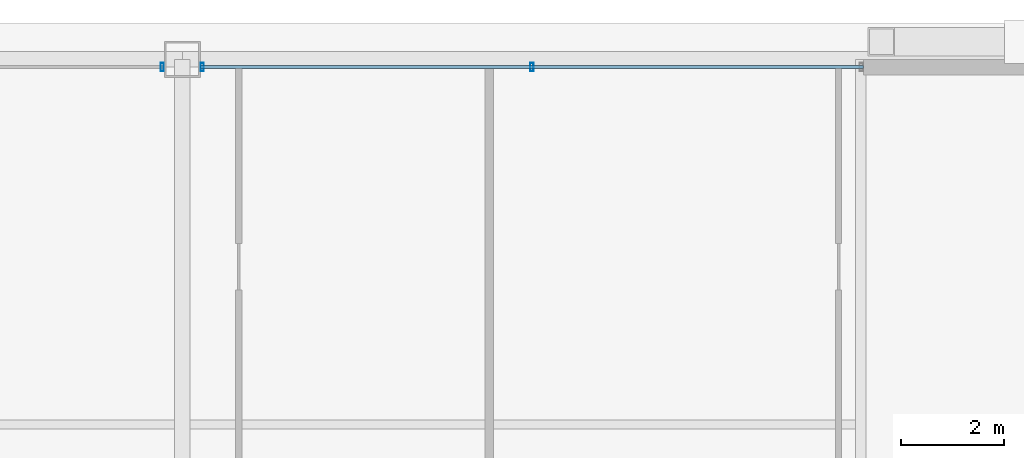
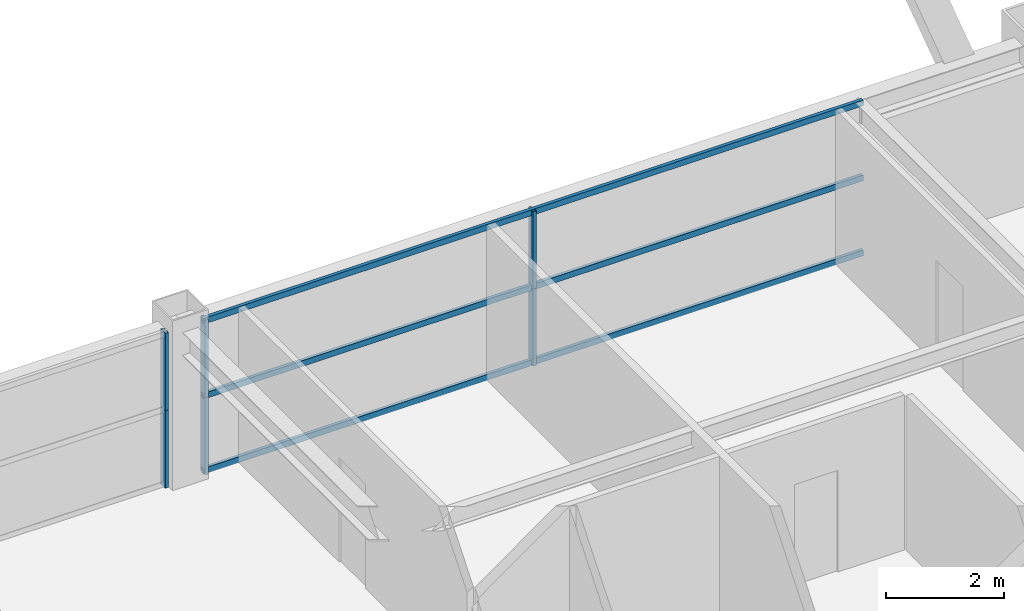
# One storey, part 27 of 36: 9 members, 2 elements without a shape of their own.
"""IFC4 building model written with IfcOpenShell, lengths in metres."""

from ifc_helpers import new_model, si_unit, direction, frame, origin, origin_2d, place, context, subcontext, project, spatial, hollow_rectangle, extrude, source, transform, mapped, material, layer, layer_set, material_profile, profile_set, type_object, element, aggregate, save


model = new_model("IFC4")

# Units and contexts
model_context = context("Model", 3, precision=1e-05, world=origin(), true_north=direction((0.0, 1.0)))
body_context = subcontext(model_context, "Body", "Model", "MODEL_VIEW")
ifc_project = project(units=[si_unit("LENGTHUNIT", "METRE"), si_unit("AREAUNIT", "SQUARE_METRE"), si_unit("VOLUMEUNIT", "CUBIC_METRE"), si_unit("PLANEANGLEUNIT", "RADIAN"), si_unit("MASSUNIT", "GRAM", prefix="KILO"), si_unit("THERMODYNAMICTEMPERATUREUNIT", "KELVIN"), si_unit("POWERUNIT", "WATT")], contexts=[model_context])

# Site, building, storey
site_placement = place(None, origin())
site = spatial("IfcSite", under=ifc_project, at=site_placement, CompositionType="ELEMENT")
building_placement = place(site_placement, origin())
building = spatial("IfcBuilding", under=site, at=building_placement, Name="Yuzanri Waterfront Tower", CompositionType="ELEMENT")
storey_placement = place(building_placement, frame((0.0, 0.0, 255.60009765625)))
storey = spatial("IfcBuildingStorey", under=building, at=storey_placement, Name="L68", CompositionType="ELEMENT", Elevation=255.60009765625)

# Curtain wall, members
ifc_material_1 = material(Name="Anodized Architectural Bronze", Category="metal")
ifc_layer = layer(ifc_material_1, 0.159912109375)
ifc_layer_set = layer_set([ifc_layer], Name="Anodized Architectural Bronze")
curtain_wall_type = type_object("IfcCurtainWallType", Name="Anodized Bronze Mid-Rise Residential Acoustic Unitized Curtain Wall 7200", PredefinedType="NOTDEFINED", material=ifc_layer_set)
curtain_wall_1_placement = place(storey_placement, origin())
curtain_wall_1 = element("IfcCurtainWall", 1, at=curtain_wall_1_placement, inside=storey, type_object=curtain_wall_type, Name="L68 Curtain Wall CW-L68-NR", PredefinedType="NOTDEFINED")
ifc_material_2 = material(Name="Anodized Architectural Bronze", Category="metal")
ifc_material_profile_1 = material_profile(ifc_material_2, hollow_rectangle(XDim=0.06494140625, YDim=0.1201171875, WallThickness=0.00341796875, at=origin_2d()), Name="CWT 65x120")
ifc_profile_set_1 = profile_set([ifc_material_profile_1], Name="Anodized Architectural Bronze")
member_type_1 = type_object("IfcMemberType", Name="Anodized Bronze Secondary Curtain-Wall Transom 65x120", PredefinedType="USERDEFINED", material=ifc_profile_set_1)
shared_shape_1 = source(origin(), body_context, "Body", "SweptSolid", [
    extrude(hollow_rectangle(XDim=0.06494140625, YDim=0.1201171875, WallThickness=0.00341796875, at=origin_2d()), origin(), (0.0, 0.0, 1.0), 12.89990234375),
])
member_1_placement = place(storey_placement, frame((37.35009765625, 46.25, 0.0498046875), z_axis=(1.0, 0.0, 0.0), x_axis=(0.0, 1.0, 0.0)))
member_1 = element("IfcMember", 2, at=member_1_placement, type_object=member_type_1, Name="CW-L68-NR Transom 1", ObjectType="TRANSOM", PredefinedType="USERDEFINED", context=body_context, shape_type="MappedRepresentation", body=[
    mapped(shared_shape_1, transform((0.0, 0.0, 0.0), scale=1.0)),
])
member_2_placement = place(storey_placement, frame((37.35009765625, 46.25, 1.599853515625), z_axis=(1.0, 0.0, 0.0), x_axis=(0.0, 1.0, 0.0)))
member_2 = element("IfcMember", 3, at=member_2_placement, type_object=member_type_1, Name="CW-L68-NR Transom 2", ObjectType="TRANSOM", PredefinedType="USERDEFINED", context=body_context, shape_type="MappedRepresentation", body=[
    mapped(shared_shape_1, transform((0.0, 0.0, 0.0), scale=1.0)),
])
member_3_placement = place(storey_placement, frame((37.35009765625, 46.25, 3.14990234375), z_axis=(1.0, 0.0, 0.0), x_axis=(0.0, 1.0, 0.0)))
member_3 = element("IfcMember", 4, at=member_3_placement, type_object=member_type_1, Name="CW-L68-NR Transom 3", ObjectType="TRANSOM", PredefinedType="USERDEFINED", context=body_context, shape_type="MappedRepresentation", body=[
    mapped(shared_shape_1, transform((0.0, 0.0, 0.0), scale=1.0)),
])

# Curtain wall, member
curtain_wall_2_placement = place(storey_placement, origin())
curtain_wall_2 = element("IfcCurtainWall", 5, at=curtain_wall_2_placement, inside=storey, type_object=curtain_wall_type, Name="L68 Curtain Wall CW-L68-NL", PredefinedType="NOTDEFINED")
ifc_material_3 = material(Name="Anodized Architectural Bronze", Category="metal")
ifc_material_profile_2 = material_profile(ifc_material_3, hollow_rectangle(XDim=0.06494140625, YDim=0.159912109375, WallThickness=0.00341796875, at=origin_2d()), Name="CWM 65x160")
ifc_profile_set_2 = profile_set([ifc_material_profile_2], Name="Anodized Architectural Bronze")
member_type_2 = type_object("IfcMemberType", Name="Anodized Bronze Upper-Zone Curtain-Wall Mullion 65x160", PredefinedType="MULLION", material=ifc_profile_set_2)
shared_shape_2 = source(origin(), body_context, "Body", "SweptSolid", [
    extrude(hollow_rectangle(XDim=0.06494140625, YDim=0.159912109375, WallThickness=0.00341796875, at=origin_2d()), origin(), (0.0, 0.0, 1.0), 1.597900390625),
])
member_4_placement = place(storey_placement, frame((36.610107421875, 46.25, 0.0), z_axis=(0.0, 0.0, 1.0), x_axis=(1.0, 0.0, 0.0)))
member_4 = element("IfcMember", 6, at=member_4_placement, type_object=member_type_2, Name="CW-L68-NL Lower Mullion 02", PredefinedType="MULLION", context=body_context, shape_type="MappedRepresentation", body=[
    mapped(shared_shape_2, transform((0.0, 0.0, 0.0), scale=1.0)),
])

# Member
member_5_placement = place(storey_placement, frame((37.389892578125, 46.25, 0.0), z_axis=(0.0, 0.0, 1.0), x_axis=(1.0, 0.0, 0.0)))
member_5 = element("IfcMember", 7, at=member_5_placement, type_object=member_type_2, Name="CW-L68-NR Lower Mullion 00", PredefinedType="MULLION", context=body_context, shape_type="MappedRepresentation", body=[
    mapped(shared_shape_2, transform((0.0, 0.0, 0.0), scale=1.0)),
])

member_6_placement = place(storey_placement, frame((43.800048828125, 46.25, 0.0), z_axis=(0.0, 0.0, 1.0), x_axis=(1.0, 0.0, 0.0)))
member_6 = element("IfcMember", 8, at=member_6_placement, type_object=member_type_2, Name="CW-L68-NR Lower Mullion 01", PredefinedType="MULLION", context=body_context, shape_type="MappedRepresentation", body=[
    mapped(shared_shape_2, transform((0.0, 0.0, 0.0), scale=1.0)),
])

shared_shape_3 = source(origin(), body_context, "Body", "SweptSolid", [
    extrude(hollow_rectangle(XDim=0.06494140625, YDim=0.159912109375, WallThickness=0.00341796875, at=origin_2d()), origin(), (0.0, 0.0, 1.0), 1.59814453125),
])
member_7_placement = place(storey_placement, frame((36.610107421875, 46.25, 1.601806640625), z_axis=(0.0, 0.0, 1.0), x_axis=(1.0, 0.0, 0.0)))
member_7 = element("IfcMember", 9, at=member_7_placement, type_object=member_type_2, Name="CW-L68-NL Upper Mullion 02", PredefinedType="MULLION", context=body_context, shape_type="MappedRepresentation", body=[
    mapped(shared_shape_3, transform((0.0, 0.0, 0.0), scale=1.0)),
])

aggregate(curtain_wall_2, [member_4, member_7])

member_8_placement = place(storey_placement, frame((37.389892578125, 46.25, 1.601806640625), z_axis=(0.0, 0.0, 1.0), x_axis=(1.0, 0.0, 0.0)))
member_8 = element("IfcMember", 10, at=member_8_placement, type_object=member_type_2, Name="CW-L68-NR Upper Mullion 00", PredefinedType="MULLION", context=body_context, shape_type="MappedRepresentation", body=[
    mapped(shared_shape_3, transform((0.0, 0.0, 0.0), scale=1.0)),
])

member_9_placement = place(storey_placement, frame((43.800048828125, 46.25, 1.601806640625), z_axis=(0.0, 0.0, 1.0), x_axis=(1.0, 0.0, 0.0)))
member_9 = element("IfcMember", 11, at=member_9_placement, type_object=member_type_2, Name="CW-L68-NR Upper Mullion 01", PredefinedType="MULLION", context=body_context, shape_type="MappedRepresentation", body=[
    mapped(shared_shape_3, transform((0.0, 0.0, 0.0), scale=1.0)),
])

aggregate(curtain_wall_1, [member_5, member_8, member_6, member_9, member_1, member_2, member_3])

save(model, "model.ifc")
